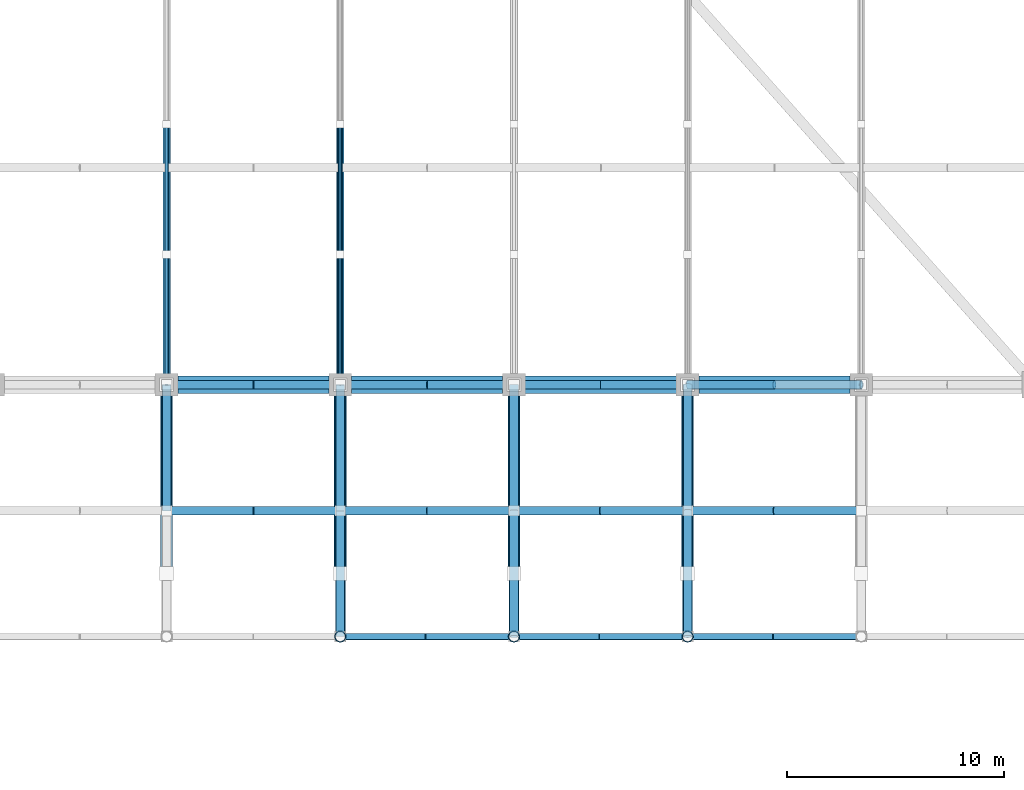
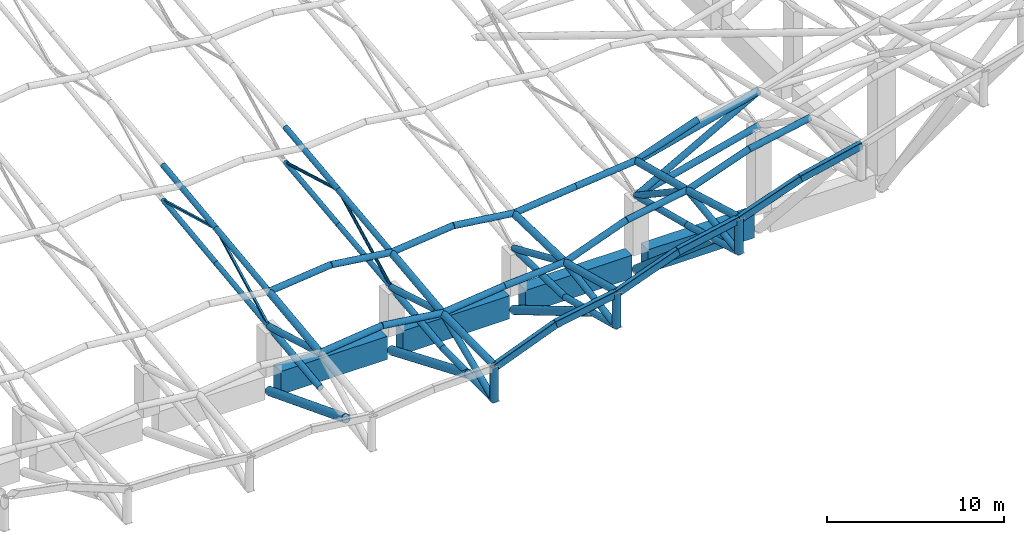
# One storey, part 6 of 75: 58 members, 10 beams.
"""IFC4 building model written with IfcOpenShell, lengths in metres."""

from ifc_helpers import new_model, si_unit, direction, frame, origin, origin_2d, place, context, subcontext, project, spatial, rectangle, hollow_rectangle, hollow_circle, extrude, material, material_profile, profile_set, type_object, element, save


model = new_model("IFC4")

# Units and contexts
model_context = context("Model", 3, precision=1e-05, world=origin(), true_north=direction((0.0, 1.0)))
body_context = subcontext(model_context, "Body", "Model", "MODEL_VIEW")
ifc_project = project(units=[si_unit("LENGTHUNIT", "METRE"), si_unit("AREAUNIT", "SQUARE_METRE"), si_unit("VOLUMEUNIT", "CUBIC_METRE"), si_unit("PLANEANGLEUNIT", "RADIAN"), si_unit("MASSUNIT", "GRAM", prefix="KILO")], contexts=[model_context])

# Site, building, storey
site_placement = place(None, origin())
site = spatial("IfcSite", under=ifc_project, at=site_placement, CompositionType="ELEMENT")
building_placement = place(site_placement, origin())
building = spatial("IfcBuilding", under=site, at=building_placement, Name="Khorjan Park Terminus", CompositionType="ELEMENT")
storey_placement = place(building_placement, frame((0.0, 0.0, 16.2)))
storey = spatial("IfcBuildingStorey", under=building, at=storey_placement, Name="L03", CompositionType="ELEMENT", Elevation=16.2)

# Members
ifc_material_1 = material(Name="Steel S355", Category="steel")
ifc_material_profile_1 = material_profile(ifc_material_1, hollow_circle(Radius=0.0969, WallThickness=0.01, at=origin_2d()), Name="CHS 193.7x10")
ifc_profile_set_1 = profile_set([ifc_material_profile_1], Name="Steel S355")
member_type_1 = type_object("IfcMemberType", Name="MB-BR-194", PredefinedType="BRACE", material=ifc_profile_set_1)
member_1_placement = place(storey_placement, frame((104.0, 26.0, 2.9477), z_axis=(0.0, 0.889228378973, 0.457463539563), x_axis=(-1.0, 0.0, 0.0)))
element("IfcMember", 1, at=member_1_placement, inside=storey, type_object=member_type_1, Name="Upper shell fold space-truss web diagonal (8)", PredefinedType="BRACE", context=body_context, shape_type="SweptSolid", body=[
    extrude(hollow_circle(Radius=0.0969, WallThickness=0.01, at=origin_2d()), origin(), (0.0, 0.0, 1.0), 6.7474),
])
member_2_placement = place(storey_placement, frame((104.0, 32.0, 6.0344), z_axis=(0.0, 0.961569896016, -0.274560257642), x_axis=(-1.0, 0.0, 0.0)))
element("IfcMember", 2, at=member_2_placement, inside=storey, type_object=member_type_1, Name="Upper shell fold space-truss web diagonal (8)", PredefinedType="BRACE", context=body_context, shape_type="SweptSolid", body=[
    extrude(hollow_circle(Radius=0.0969, WallThickness=0.01, at=origin_2d()), origin(), (0.0, 0.0, 1.0), 6.2398),
])
ifc_material_profile_2 = material_profile(ifc_material_1, hollow_rectangle(XDim=0.15, YDim=0.15, WallThickness=0.01, InnerFilletRadius=0.01, OuterFilletRadius=0.02, at=origin_2d()), Name="SHS 150x150x10")
ifc_profile_set_2 = profile_set([ifc_material_profile_2], Name="Steel S355")
member_type_2 = type_object("IfcMemberType", Name="MB-BR-SHS150", PredefinedType="BRACE", material=ifc_profile_set_2)
member_3_placement = place(storey_placement, frame((96.0, 26.0, 3.0429), z_axis=(0.0, 0.88625355796, 0.463200422068), x_axis=(-1.0, 0.0, 0.0)))
element("IfcMember", 3, at=member_3_placement, inside=storey, type_object=member_type_2, Name="Upper shell fold space-truss web diagonal (7)", PredefinedType="BRACE", context=body_context, shape_type="SweptSolid", body=[
    extrude(hollow_rectangle(XDim=0.15, YDim=0.15, WallThickness=0.01, InnerFilletRadius=0.01, OuterFilletRadius=0.02, at=origin_2d()), origin(), (0.0, 0.0, 1.0), 6.7701),
])
member_4_placement = place(storey_placement, frame((96.0, 32.0, 6.1788), z_axis=(0.0, 0.963628272095, -0.267246240794), x_axis=(-1.0, 0.0, 0.0)))
element("IfcMember", 4, at=member_4_placement, inside=storey, type_object=member_type_2, Name="Upper shell fold space-truss web diagonal (7)", PredefinedType="BRACE", context=body_context, shape_type="SweptSolid", body=[
    extrude(hollow_rectangle(XDim=0.15, YDim=0.15, WallThickness=0.01, InnerFilletRadius=0.01, OuterFilletRadius=0.02, at=origin_2d()), origin(), (0.0, 0.0, 1.0), 6.2265),
])
ifc_material_profile_3 = material_profile(ifc_material_1, hollow_circle(Radius=0.162, WallThickness=0.0125, at=origin_2d()), Name="CHS 323.9x12.5")
ifc_profile_set_3 = profile_set([ifc_material_profile_3], Name="Steel S355")
member_type_3 = type_object("IfcMemberType", Name="MB-CH-324", PredefinedType="CHORD", material=ifc_profile_set_3)
for number, where, z_axis, x_axis, name in (
    (5, (96.0, 26.0, 3.0429), (0.0, 0.992562298474, 0.121737765908), (-1.0, 0.0, 0.0), "Upper shell fold space-truss bottom chord (7)"),
    (6, (96.0, 32.0, 3.7788), (0.0, 0.992560299451, 0.121754063399), (-1.0, 0.0, 0.0), "Upper shell fold space-truss bottom chord (7)"),
):
    element("IfcMember", number, at=place(storey_placement, frame(where, z_axis=z_axis, x_axis=x_axis)), inside=storey, type_object=member_type_3, Name=name, PredefinedType="CHORD", context=body_context, shape_type="SweptSolid", body=[
        extrude(hollow_circle(Radius=0.162, WallThickness=0.0125, at=origin_2d()), origin(), (0.0, 0.0, 1.0), 6.045),
    ])
for number, where, z_axis, x_axis, name in (
    (7, (104.0, 26.0, 2.9477), (0.0, 0.993514246355, 0.113707705495), (-1.0, 0.0, 0.0), "Upper shell fold space-truss bottom chord (8)"),
    (8, (104.0, 32.0, 3.6344), (0.0, 0.993512375599, 0.113724049927), (-1.0, 0.0, 0.0), "Upper shell fold space-truss bottom chord (8)"),
):
    element("IfcMember", number, at=place(storey_placement, frame(where, z_axis=z_axis, x_axis=x_axis)), inside=storey, type_object=member_type_3, Name=name, PredefinedType="CHORD", context=body_context, shape_type="SweptSolid", body=[
        extrude(hollow_circle(Radius=0.162, WallThickness=0.0125, at=origin_2d()), origin(), (0.0, 0.0, 1.0), 6.0392),
    ])
ifc_material_profile_4 = material_profile(ifc_material_1, hollow_circle(Radius=0.1778, WallThickness=0.016, at=origin_2d()), Name="CHS 355.6x16")
ifc_profile_set_4 = profile_set([ifc_material_profile_4], Name="Steel S355")
member_type_4 = type_object("IfcMemberType", Name="MB-CH-356", PredefinedType="CHORD", material=ifc_profile_set_4)
for number, where, z_axis, x_axis, name in (
    (9, (96.0, 26.0, 5.4429), (0.0, 0.992562298474, 0.121737765908), (-1.0, 0.0, 0.0), "Upper shell fold space-truss top chord (7)"),
    (10, (96.0, 32.0, 6.1788), (0.0, 0.992560299451, 0.121754063399), (-1.0, 0.0, 0.0), "Upper shell fold space-truss top chord (7)"),
):
    element("IfcMember", number, at=place(storey_placement, frame(where, z_axis=z_axis, x_axis=x_axis)), inside=storey, type_object=member_type_4, Name=name, PredefinedType="CHORD", context=body_context, shape_type="SweptSolid", body=[
        extrude(hollow_circle(Radius=0.1778, WallThickness=0.016, at=origin_2d()), origin(), (0.0, 0.0, 1.0), 6.045),
    ])
for number, where, z_axis, x_axis, name in (
    (11, (104.0, 26.0, 5.3477), (0.0, 0.993514246355, 0.113707705495), (-1.0, 0.0, 0.0), "Upper shell fold space-truss top chord (8)"),
    (12, (104.0, 32.0, 6.0344), (0.0, 0.993512375599, 0.113724049927), (-1.0, 0.0, 0.0), "Upper shell fold space-truss top chord (8)"),
):
    element("IfcMember", number, at=place(storey_placement, frame(where, z_axis=z_axis, x_axis=x_axis)), inside=storey, type_object=member_type_4, Name=name, PredefinedType="CHORD", context=body_context, shape_type="SweptSolid", body=[
        extrude(hollow_circle(Radius=0.1778, WallThickness=0.016, at=origin_2d()), origin(), (0.0, 0.0, 1.0), 6.0392),
    ])
ifc_material_profile_5 = material_profile(ifc_material_1, hollow_circle(Radius=0.2032, WallThickness=0.016, at=origin_2d()), Name="CHS 406.4x16")
ifc_profile_set_5 = profile_set([ifc_material_profile_5], Name="Steel S355")
member_type_5 = type_object("IfcMemberType", Name="MB-CH-406", PredefinedType="CHORD", material=ifc_profile_set_5)
member_5_placement = place(storey_placement, frame((120.0, 26.0, 3.6958), z_axis=(0.968840831893, 0.0, 0.247684158673), x_axis=(0.0, 1.0, 0.0)))
element("IfcMember", 13, at=member_5_placement, inside=storey, type_object=member_type_5, Name="Upper shell longitudinal truss bottom chord (E1)", PredefinedType="CHORD", context=body_context, shape_type="SweptSolid", body=[
    extrude(hollow_circle(Radius=0.2032, WallThickness=0.016, at=origin_2d()), origin(), (0.0, 0.0, 1.0), 8.2573),
])
ifc_material_profile_6 = material_profile(ifc_material_1, hollow_circle(Radius=0.2285, WallThickness=0.016, at=origin_2d()), Name="CHS 457x16")
ifc_profile_set_6 = profile_set([ifc_material_profile_6], Name="Steel S355")
member_type_6 = type_object("IfcMemberType", Name="MB-CH-457", PredefinedType="CHORD", material=ifc_profile_set_6)
member_6_placement = place(storey_placement, frame((120.0, 26.0, 6.0958), z_axis=(0.968840831893, 0.0, 0.247684158673), x_axis=(0.0, 1.0, 0.0)))
element("IfcMember", 14, at=member_6_placement, inside=storey, type_object=member_type_6, Name="Upper shell longitudinal truss top chord (E1)", PredefinedType="CHORD", context=body_context, shape_type="SweptSolid", body=[
    extrude(hollow_circle(Radius=0.2285, WallThickness=0.016, at=origin_2d()), origin(), (0.0, 0.0, 1.0), 8.2573),
])
ifc_material_profile_7 = material_profile(ifc_material_1, hollow_circle(Radius=0.2032, WallThickness=0.016, at=origin_2d()), Name="CHS 406.4x16")
ifc_profile_set_7 = profile_set([ifc_material_profile_7], Name="Steel S355")
member_type_7 = type_object("IfcMemberType", Name="MB-CHE-406", PredefinedType="CHORD", material=ifc_profile_set_7)
member_7_placement = place(storey_placement, frame((96.0, 20.2, 4.7714), z_axis=(0.993642695952, 0.0, 0.112579717451), x_axis=(0.0, 1.0, 0.0)))
element("IfcMember", 15, at=member_7_placement, inside=storey, type_object=member_type_7, Name="Upper shell fold rib chord (55)", PredefinedType="CHORD", context=body_context, shape_type="SweptSolid", body=[
    extrude(hollow_circle(Radius=0.2032, WallThickness=0.016, at=origin_2d()), origin(), (0.0, 0.0, 1.0), 4.0256),
])
member_8_placement = place(storey_placement, frame((100.0, 20.2, 5.2246), z_axis=(0.992256490306, 0.0, -0.124205706174), x_axis=(0.0, 1.0, 0.0)))
element("IfcMember", 16, at=member_8_placement, inside=storey, type_object=member_type_7, Name="Upper shell fold rib chord (56)", PredefinedType="CHORD", context=body_context, shape_type="SweptSolid", body=[
    extrude(hollow_circle(Radius=0.2032, WallThickness=0.016, at=origin_2d()), origin(), (0.0, 0.0, 1.0), 4.0312),
])
member_9_placement = place(storey_placement, frame((104.0, 20.2, 4.7239), z_axis=(0.993642695952, 0.0, 0.112579717451), x_axis=(0.0, 1.0, 0.0)))
element("IfcMember", 17, at=member_9_placement, inside=storey, type_object=member_type_7, Name="Upper shell fold rib chord (57)", PredefinedType="CHORD", context=body_context, shape_type="SweptSolid", body=[
    extrude(hollow_circle(Radius=0.2032, WallThickness=0.016, at=origin_2d()), origin(), (0.0, 0.0, 1.0), 4.0256),
])
member_10_placement = place(storey_placement, frame((108.0, 20.2, 5.1771), z_axis=(0.9978192431, 0.0, 0.066005742931), x_axis=(0.0, 1.0, 0.0)))
element("IfcMember", 18, at=member_10_placement, inside=storey, type_object=member_type_7, Name="Upper shell fold rib chord (58)", PredefinedType="CHORD", context=body_context, shape_type="SweptSolid", body=[
    extrude(hollow_circle(Radius=0.2032, WallThickness=0.016, at=origin_2d()), origin(), (0.0, 0.0, 1.0), 4.0087),
])
member_11_placement = place(storey_placement, frame((112.0, 20.2, 5.4417), z_axis=(0.937112467786, 0.0, 0.349027538627), x_axis=(0.0, 1.0, 0.0)))
element("IfcMember", 19, at=member_11_placement, inside=storey, type_object=member_type_7, Name="Upper shell fold rib chord (59)", PredefinedType="CHORD", context=body_context, shape_type="SweptSolid", body=[
    extrude(hollow_circle(Radius=0.2032, WallThickness=0.016, at=origin_2d()), origin(), (0.0, 0.0, 1.0), 4.2684),
])
member_12_placement = place(storey_placement, frame((116.0, 20.2, 6.9315), z_axis=(0.985790621278, 0.0, 0.167978721866), x_axis=(0.0, 1.0, 0.0)))
element("IfcMember", 20, at=member_12_placement, inside=storey, type_object=member_type_7, Name="Upper shell fold rib chord (60)", PredefinedType="CHORD", context=body_context, shape_type="SweptSolid", body=[
    extrude(hollow_circle(Radius=0.2032, WallThickness=0.016, at=origin_2d()), origin(), (0.0, 0.0, 1.0), 4.0577),
])
member_13_placement = place(storey_placement, frame((120.0, 20.2, 7.6131), z_axis=(0.942795230781, 0.0, 0.333372393604), x_axis=(0.0, 1.0, 0.0)))
element("IfcMember", 21, at=member_13_placement, inside=storey, type_object=member_type_7, Name="Upper shell fold rib chord (61)", PredefinedType="CHORD", context=body_context, shape_type="SweptSolid", body=[
    extrude(hollow_circle(Radius=0.2032, WallThickness=0.016, at=origin_2d()), origin(), (0.0, 0.0, 1.0), 4.2427),
])
member_14_placement = place(storey_placement, frame((124.0, 20.2, 9.0275), z_axis=(0.981807019959, 0.0, 0.18988147766), x_axis=(0.0, 1.0, 0.0)))
element("IfcMember", 22, at=member_14_placement, inside=storey, type_object=member_type_7, Name="Upper shell fold rib chord (62)", PredefinedType="CHORD", context=body_context, shape_type="SweptSolid", body=[
    extrude(hollow_circle(Radius=0.2032, WallThickness=0.016, at=origin_2d()), origin(), (0.0, 0.0, 1.0), 4.0741),
])
member_15_placement = place(storey_placement, frame((96.0, 26.0, 5.4829), z_axis=(0.994287316425, 0.0, 0.106736743418), x_axis=(0.0, 1.0, 0.0)))
element("IfcMember", 23, at=member_15_placement, inside=storey, type_object=member_type_7, Name="Upper shell fold rib chord (79)", PredefinedType="CHORD", context=body_context, shape_type="SweptSolid", body=[
    extrude(hollow_circle(Radius=0.2032, WallThickness=0.016, at=origin_2d()), origin(), (0.0, 0.0, 1.0), 4.023),
])
member_16_placement = place(storey_placement, frame((100.0, 26.0, 5.9123), z_axis=(0.991509216249, 0.0, -0.130036433711), x_axis=(0.0, 1.0, 0.0)))
element("IfcMember", 24, at=member_16_placement, inside=storey, type_object=member_type_7, Name="Upper shell fold rib chord (80)", PredefinedType="CHORD", context=body_context, shape_type="SweptSolid", body=[
    extrude(hollow_circle(Radius=0.2032, WallThickness=0.016, at=origin_2d()), origin(), (0.0, 0.0, 1.0), 4.0343),
])
member_17_placement = place(storey_placement, frame((104.0, 26.0, 5.3877), z_axis=(0.994287316425, 0.0, 0.106736743418), x_axis=(0.0, 1.0, 0.0)))
element("IfcMember", 25, at=member_17_placement, inside=storey, type_object=member_type_7, Name="Upper shell fold rib chord (81)", PredefinedType="CHORD", context=body_context, shape_type="SweptSolid", body=[
    extrude(hollow_circle(Radius=0.2032, WallThickness=0.016, at=origin_2d()), origin(), (0.0, 0.0, 1.0), 4.023),
])
member_18_placement = place(storey_placement, frame((108.0, 26.0, 5.8171), z_axis=(0.9915124119, 0.0, -0.13001206501), x_axis=(0.0, 1.0, 0.0)))
element("IfcMember", 26, at=member_18_placement, inside=storey, type_object=member_type_7, Name="Upper shell fold rib chord (82)", PredefinedType="CHORD", context=body_context, shape_type="SweptSolid", body=[
    extrude(hollow_circle(Radius=0.2032, WallThickness=0.016, at=origin_2d()), origin(), (0.0, 0.0, 1.0), 4.0342),
])
member_19_placement = place(storey_placement, frame((112.0, 26.0, 5.2926), z_axis=(0.994287316425, 0.0, 0.106736743418), x_axis=(0.0, 1.0, 0.0)))
element("IfcMember", 27, at=member_19_placement, inside=storey, type_object=member_type_7, Name="Upper shell fold rib chord (83)", PredefinedType="CHORD", context=body_context, shape_type="SweptSolid", body=[
    extrude(hollow_circle(Radius=0.2032, WallThickness=0.016, at=origin_2d()), origin(), (0.0, 0.0, 1.0), 4.023),
])
member_20_placement = place(storey_placement, frame((116.0, 26.0, 5.722), z_axis=(0.994691618291, 0.0, 0.102900847912), x_axis=(0.0, 1.0, 0.0)))
element("IfcMember", 28, at=member_20_placement, inside=storey, type_object=member_type_7, Name="Upper shell fold rib chord (84)", PredefinedType="CHORD", context=body_context, shape_type="SweptSolid", body=[
    extrude(hollow_circle(Radius=0.2032, WallThickness=0.016, at=origin_2d()), origin(), (0.0, 0.0, 1.0), 4.0213),
])
member_21_placement = place(storey_placement, frame((120.0, 26.0, 6.1358), z_axis=(0.942639584618, 0.0, 0.333812242903), x_axis=(0.0, 1.0, 0.0)))
element("IfcMember", 29, at=member_21_placement, inside=storey, type_object=member_type_7, Name="Upper shell fold rib chord (85)", PredefinedType="CHORD", context=body_context, shape_type="SweptSolid", body=[
    extrude(hollow_circle(Radius=0.2032, WallThickness=0.016, at=origin_2d()), origin(), (0.0, 0.0, 1.0), 4.2434),
])
member_22_placement = place(storey_placement, frame((96.0, 20.2, 2.3314), z_axis=(0.0, 0.992559610072, 0.121759683201), x_axis=(-1.0, 0.0, 0.0)))
element("IfcMember", 30, at=member_22_placement, inside=storey, type_object=member_type_7, Name="Upper shell fold space-truss bottom chord (7)", PredefinedType="CHORD", context=body_context, shape_type="SweptSolid", body=[
    extrude(hollow_circle(Radius=0.2032, WallThickness=0.016, at=origin_2d()), origin(), (0.0, 0.0, 1.0), 5.8435),
])
member_23_placement = place(storey_placement, frame((104.0, 14.4, 2.1989), z_axis=(0.0, 0.999892630256, 0.014653598892), x_axis=(-1.0, 0.0, 0.0)))
element("IfcMember", 31, at=member_23_placement, inside=storey, type_object=member_type_7, Name="Upper shell fold space-truss bottom chord (8)", PredefinedType="CHORD", context=body_context, shape_type="SweptSolid", body=[
    extrude(hollow_circle(Radius=0.2032, WallThickness=0.016, at=origin_2d()), origin(), (0.0, 0.0, 1.0), 5.8006),
])
member_24_placement = place(storey_placement, frame((104.0, 20.2, 2.2839), z_axis=(0.0, 0.993514439867, 0.113706014687), x_axis=(-1.0, 0.0, 0.0)))
element("IfcMember", 32, at=member_24_placement, inside=storey, type_object=member_type_7, Name="Upper shell fold space-truss bottom chord (8)", PredefinedType="CHORD", context=body_context, shape_type="SweptSolid", body=[
    extrude(hollow_circle(Radius=0.2032, WallThickness=0.016, at=origin_2d()), origin(), (0.0, 0.0, 1.0), 5.8379),
])
member_25_placement = place(storey_placement, frame((112.0, 14.4, 4.5147), z_axis=(0.0, 0.967619044028, -0.252415105796), x_axis=(-1.0, 0.0, 0.0)))
element("IfcMember", 33, at=member_25_placement, inside=storey, type_object=member_type_7, Name="Upper shell fold space-truss bottom chord (9)", PredefinedType="CHORD", context=body_context, shape_type="SweptSolid", body=[
    extrude(hollow_circle(Radius=0.2032, WallThickness=0.016, at=origin_2d()), origin(), (0.0, 0.0, 1.0), 5.9941),
])
member_26_placement = place(storey_placement, frame((112.0, 20.2, 3.0017), z_axis=(0.0, 0.999669741413, -0.025698406628), x_axis=(-1.0, 0.0, 0.0)))
element("IfcMember", 34, at=member_26_placement, inside=storey, type_object=member_type_7, Name="Upper shell fold space-truss bottom chord (9)", PredefinedType="CHORD", context=body_context, shape_type="SweptSolid", body=[
    extrude(hollow_circle(Radius=0.2032, WallThickness=0.016, at=origin_2d()), origin(), (0.0, 0.0, 1.0), 5.8019),
])
member_27_placement = place(storey_placement, frame((120.0, 14.4, 6.8305), z_axis=(0.0, 0.961512686437, -0.274760539052), x_axis=(-1.0, 0.0, 0.0)))
element("IfcMember", 35, at=member_27_placement, inside=storey, type_object=member_type_7, Name="Upper shell fold space-truss bottom chord (10)", PredefinedType="CHORD", context=body_context, shape_type="SweptSolid", body=[
    extrude(hollow_circle(Radius=0.2032, WallThickness=0.016, at=origin_2d()), origin(), (0.0, 0.0, 1.0), 6.0322),
])
member_28_placement = place(storey_placement, frame((120.0, 20.2, 5.1731), z_axis=(0.0, 0.969059763172, -0.246826204851), x_axis=(-1.0, 0.0, 0.0)))
element("IfcMember", 36, at=member_28_placement, inside=storey, type_object=member_type_7, Name="Upper shell fold space-truss bottom chord (10)", PredefinedType="CHORD", context=body_context, shape_type="SweptSolid", body=[
    extrude(hollow_circle(Radius=0.2032, WallThickness=0.016, at=origin_2d()), origin(), (0.0, 0.0, 1.0), 5.9852),
])
ifc_material_profile_8 = material_profile(ifc_material_1, hollow_circle(Radius=0.2285, WallThickness=0.016, at=origin_2d()), Name="CHS 457x16")
ifc_profile_set_8 = profile_set([ifc_material_profile_8], Name="Steel S355")
member_type_8 = type_object("IfcMemberType", Name="MB-CHE-457", PredefinedType="CHORD", material=ifc_profile_set_8)
member_29_placement = place(storey_placement, frame((96.0, 20.2, 4.7314), z_axis=(0.0, 0.992559610072, 0.121759683201), x_axis=(-1.0, 0.0, 0.0)))
element("IfcMember", 37, at=member_29_placement, inside=storey, type_object=member_type_8, Name="Upper shell fold space-truss top chord (7)", PredefinedType="CHORD", context=body_context, shape_type="SweptSolid", body=[
    extrude(hollow_circle(Radius=0.2285, WallThickness=0.016, at=origin_2d()), origin(), (0.0, 0.0, 1.0), 5.8435),
])
member_30_placement = place(storey_placement, frame((104.0, 14.4, 4.5989), z_axis=(0.0, 0.999892630256, 0.014653598892), x_axis=(-1.0, 0.0, 0.0)))
element("IfcMember", 38, at=member_30_placement, inside=storey, type_object=member_type_8, Name="Upper shell fold space-truss top chord (8)", PredefinedType="CHORD", context=body_context, shape_type="SweptSolid", body=[
    extrude(hollow_circle(Radius=0.2285, WallThickness=0.016, at=origin_2d()), origin(), (0.0, 0.0, 1.0), 5.8006),
])
member_31_placement = place(storey_placement, frame((104.0, 20.2, 4.6839), z_axis=(0.0, 0.993514439867, 0.113706014687), x_axis=(-1.0, 0.0, 0.0)))
element("IfcMember", 39, at=member_31_placement, inside=storey, type_object=member_type_8, Name="Upper shell fold space-truss top chord (8)", PredefinedType="CHORD", context=body_context, shape_type="SweptSolid", body=[
    extrude(hollow_circle(Radius=0.2285, WallThickness=0.016, at=origin_2d()), origin(), (0.0, 0.0, 1.0), 5.8379),
])
member_32_placement = place(storey_placement, frame((112.0, 14.4, 6.9147), z_axis=(0.0, 0.967619044028, -0.252415105796), x_axis=(-1.0, 0.0, 0.0)))
element("IfcMember", 40, at=member_32_placement, inside=storey, type_object=member_type_8, Name="Upper shell fold space-truss top chord (9)", PredefinedType="CHORD", context=body_context, shape_type="SweptSolid", body=[
    extrude(hollow_circle(Radius=0.2285, WallThickness=0.016, at=origin_2d()), origin(), (0.0, 0.0, 1.0), 5.9941),
])
member_33_placement = place(storey_placement, frame((112.0, 20.2, 5.4017), z_axis=(0.0, 0.999669741413, -0.025698406628), x_axis=(-1.0, 0.0, 0.0)))
element("IfcMember", 41, at=member_33_placement, inside=storey, type_object=member_type_8, Name="Upper shell fold space-truss top chord (9)", PredefinedType="CHORD", context=body_context, shape_type="SweptSolid", body=[
    extrude(hollow_circle(Radius=0.2285, WallThickness=0.016, at=origin_2d()), origin(), (0.0, 0.0, 1.0), 5.8019),
])
member_34_placement = place(storey_placement, frame((120.0, 14.4, 9.2305), z_axis=(0.0, 0.961512686437, -0.274760539052), x_axis=(-1.0, 0.0, 0.0)))
element("IfcMember", 42, at=member_34_placement, inside=storey, type_object=member_type_8, Name="Upper shell fold space-truss top chord (10)", PredefinedType="CHORD", context=body_context, shape_type="SweptSolid", body=[
    extrude(hollow_circle(Radius=0.2285, WallThickness=0.016, at=origin_2d()), origin(), (0.0, 0.0, 1.0), 6.0322),
])
member_35_placement = place(storey_placement, frame((120.0, 20.2, 7.5731), z_axis=(0.0, 0.969059763172, -0.246826204851), x_axis=(-1.0, 0.0, 0.0)))
element("IfcMember", 43, at=member_35_placement, inside=storey, type_object=member_type_8, Name="Upper shell fold space-truss top chord (10)", PredefinedType="CHORD", context=body_context, shape_type="SweptSolid", body=[
    extrude(hollow_circle(Radius=0.2285, WallThickness=0.016, at=origin_2d()), origin(), (0.0, 0.0, 1.0), 5.9852),
])
ifc_material_profile_9 = material_profile(ifc_material_1, hollow_circle(Radius=0.2032, WallThickness=0.016, at=origin_2d()), Name="CHS 406.4x16")
ifc_profile_set_9 = profile_set([ifc_material_profile_9], Name="Steel S355")
member_type_9 = type_object("IfcMemberType", Name="MB-ST-406", PredefinedType="STRUT", material=ifc_profile_set_9)
member_36_placement = place(storey_placement, frame((120.0, 26.0, 3.6958), z_axis=(0.874122226492, 0.0, 0.48570601515), x_axis=(0.0, 1.0, 0.0)))
element("IfcMember", 44, at=member_36_placement, inside=storey, type_object=member_type_9, Name="Upper shell longitudinal truss diagonal (E1)", PredefinedType="STRUT", context=body_context, shape_type="SweptSolid", body=[
    extrude(hollow_circle(Radius=0.2032, WallThickness=0.016, at=origin_2d()), origin(), (0.0, 0.0, 1.0), 9.152),
])
ifc_material_profile_10 = material_profile(ifc_material_1, hollow_circle(Radius=0.2795, WallThickness=0.02, at=origin_2d()), Name="CHS 559x20")
ifc_profile_set_10 = profile_set([ifc_material_profile_10], Name="Steel S355")
member_type_10 = type_object("IfcMemberType", Name="MB-ST-CHS559", PredefinedType="STRUT", material=ifc_profile_set_10)
member_37_placement = place(storey_placement, frame((96.0, 26.0, -1.4), z_axis=(0.0, -0.932280715022, 0.361735633299), x_axis=(1.0, 0.0, 0.0)))
element("IfcMember", 45, at=member_37_placement, inside=storey, type_object=member_type_10, Name="Upper shell raked overhang V-strut STE-56 (7S)", PredefinedType="STRUT", context=body_context, shape_type="SweptSolid", body=[
    extrude(hollow_circle(Radius=0.2795, WallThickness=0.02, at=origin_2d()), origin(), (0.0, 0.0, 1.0), 9.332),
])
member_38_placement = place(storey_placement, frame((104.0, 26.0, -1.4), z_axis=(0.0, -0.922458377603, 0.386096544391), x_axis=(1.0, 0.0, 0.0)))
element("IfcMember", 46, at=member_38_placement, inside=storey, type_object=member_type_10, Name="Upper shell raked overhang V-strut STE-56 (8S)", PredefinedType="STRUT", context=body_context, shape_type="SweptSolid", body=[
    extrude(hollow_circle(Radius=0.2795, WallThickness=0.02, at=origin_2d()), origin(), (0.0, 0.0, 1.0), 9.4313),
])
member_39_placement = place(storey_placement, frame((112.0, 26.0, -1.4), z_axis=(0.0, -0.860176841701, 0.509995883318), x_axis=(1.0, 0.0, 0.0)))
element("IfcMember", 47, at=member_39_placement, inside=storey, type_object=member_type_10, Name="Upper shell raked overhang V-strut STE-56 (9S)", PredefinedType="STRUT", context=body_context, shape_type="SweptSolid", body=[
    extrude(hollow_circle(Radius=0.2795, WallThickness=0.02, at=origin_2d()), origin(), (0.0, 0.0, 1.0), 10.1142),
])
member_40_placement = place(storey_placement, frame((120.0, 26.0, -1.4), z_axis=(0.0, -0.76164547291, 0.647993961079), x_axis=(1.0, 0.0, 0.0)))
element("IfcMember", 48, at=member_40_placement, inside=storey, type_object=member_type_10, Name="Upper shell raked overhang V-strut STE-56 (10S)", PredefinedType="STRUT", context=body_context, shape_type="SweptSolid", body=[
    extrude(hollow_circle(Radius=0.2795, WallThickness=0.02, at=origin_2d()), origin(), (0.0, 0.0, 1.0), 11.4226),
])
ifc_material_profile_11 = material_profile(ifc_material_1, hollow_circle(Radius=0.2032, WallThickness=0.016, at=origin_2d()), Name="CHS 406.4x16")
ifc_profile_set_11 = profile_set([ifc_material_profile_11], Name="Steel S355")
member_type_11 = type_object("IfcMemberType", Name="MB-STE-406", PredefinedType="STRUT", material=ifc_profile_set_11)
member_41_placement = place(storey_placement, frame((96.0, 20.2, 4.7314), z_axis=(0.0, 0.960140787374, -0.279516848186), x_axis=(-1.0, 0.0, 0.0)))
element("IfcMember", 49, at=member_41_placement, inside=storey, type_object=member_type_11, Name="Upper shell fold space-truss web diagonal (7)", PredefinedType="STRUT", context=body_context, shape_type="SweptSolid", body=[
    extrude(hollow_circle(Radius=0.2032, WallThickness=0.016, at=origin_2d()), origin(), (0.0, 0.0, 1.0), 6.0408),
])
member_42_placement = place(storey_placement, frame((104.0, 14.4, 2.1989), z_axis=(0.0, 0.919186011339, 0.393823661755), x_axis=(-1.0, 0.0, 0.0)))
element("IfcMember", 50, at=member_42_placement, inside=storey, type_object=member_type_11, Name="Upper shell fold space-truss web diagonal (8)", PredefinedType="STRUT", context=body_context, shape_type="SweptSolid", body=[
    extrude(hollow_circle(Radius=0.2032, WallThickness=0.016, at=origin_2d()), origin(), (0.0, 0.0, 1.0), 6.3099),
])
member_43_placement = place(storey_placement, frame((104.0, 20.2, 4.6839), z_axis=(0.0, 0.957998861056, -0.286772003891), x_axis=(-1.0, 0.0, 0.0)))
element("IfcMember", 51, at=member_43_placement, inside=storey, type_object=member_type_11, Name="Upper shell fold space-truss web diagonal (8)", PredefinedType="STRUT", context=body_context, shape_type="SweptSolid", body=[
    extrude(hollow_circle(Radius=0.2032, WallThickness=0.016, at=origin_2d()), origin(), (0.0, 0.0, 1.0), 6.0543),
])
member_44_placement = place(storey_placement, frame((112.0, 14.4, 4.5147), z_axis=(0.0, 0.988507254371, 0.151173437005), x_axis=(-1.0, 0.0, 0.0)))
element("IfcMember", 52, at=member_44_placement, inside=storey, type_object=member_type_11, Name="Upper shell fold space-truss web diagonal (9)", PredefinedType="STRUT", context=body_context, shape_type="SweptSolid", body=[
    extrude(hollow_circle(Radius=0.2032, WallThickness=0.016, at=origin_2d()), origin(), (0.0, 0.0, 1.0), 5.8674),
])
member_45_placement = place(storey_placement, frame((112.0, 20.2, 5.4017), z_axis=(0.0, 0.9154836907, -0.402355082063), x_axis=(-1.0, 0.0, 0.0)))
element("IfcMember", 53, at=member_45_placement, inside=storey, type_object=member_type_11, Name="Upper shell fold space-truss web diagonal (9)", PredefinedType="STRUT", context=body_context, shape_type="SweptSolid", body=[
    extrude(hollow_circle(Radius=0.2032, WallThickness=0.016, at=origin_2d()), origin(), (0.0, 0.0, 1.0), 6.3354),
])
member_46_placement = place(storey_placement, frame((120.0, 14.4, 6.8305), z_axis=(0.0, 0.991903000272, 0.126997787587), x_axis=(-1.0, 0.0, 0.0)))
element("IfcMember", 54, at=member_46_placement, inside=storey, type_object=member_type_11, Name="Upper shell fold space-truss web diagonal (10)", PredefinedType="STRUT", context=body_context, shape_type="SweptSolid", body=[
    extrude(hollow_circle(Radius=0.2032, WallThickness=0.016, at=origin_2d()), origin(), (0.0, 0.0, 1.0), 5.8473),
])
member_47_placement = place(storey_placement, frame((120.0, 20.2, 7.5731), z_axis=(0.0, 0.831346178511, -0.555754920334), x_axis=(-1.0, 0.0, 0.0)))
element("IfcMember", 55, at=member_47_placement, inside=storey, type_object=member_type_11, Name="Upper shell fold space-truss web diagonal (10)", PredefinedType="STRUT", context=body_context, shape_type="SweptSolid", body=[
    extrude(hollow_circle(Radius=0.2032, WallThickness=0.016, at=origin_2d()), origin(), (0.0, 0.0, 1.0), 6.9766),
])
ifc_material_profile_12 = material_profile(ifc_material_1, hollow_circle(Radius=0.254, WallThickness=0.02, at=origin_2d()), Name="CHS 508x20")
ifc_profile_set_12 = profile_set([ifc_material_profile_12], Name="Steel S355")
member_type_12 = type_object("IfcMemberType", Name="MB-STE-508", PredefinedType="STRUT", material=ifc_profile_set_12)
for number, where, z_axis, x_axis, name in (
    (56, (104.0, 14.4, 2.1989), (0.0, 0.0, 1.0), (1.0, 0.0, 0.0), "Upper shell overhang tip post STE-51 (8S)"),
    (57, (112.0, 14.4, 4.5147), (0.0, 0.0, 1.0), (1.0, 0.0, 0.0), "Upper shell overhang tip post STE-51 (9S)"),
    (58, (120.0, 14.4, 6.8305), (0.0, 0.0, 1.0), (1.0, 0.0, 0.0), "Upper shell overhang tip post STE-51 (10S)"),
):
    element("IfcMember", number, at=place(storey_placement, frame(where, z_axis=z_axis, x_axis=x_axis)), inside=storey, type_object=member_type_12, Name=name, PredefinedType="STRUT", context=body_context, shape_type="SweptSolid", body=[
        extrude(hollow_circle(Radius=0.254, WallThickness=0.02, at=origin_2d()), origin(), (0.0, 0.0, 1.0), 2.4),
    ])

# Beams
ifc_material_2 = material(Name="Concrete C50/60", Category="concrete")
ifc_material_profile_13 = material_profile(ifc_material_2, rectangle(XDim=0.8, YDim=1.6, at=origin_2d()), Name="RC 800x1600")
ifc_profile_set_13 = profile_set([ifc_material_profile_13], Name="Concrete C50/60")
beam_type_1 = type_object("IfcBeamType", Name="SP-RC800x1600", PredefinedType="SPANDREL", material=ifc_profile_set_13)
for number, where, z_axis, x_axis, name in (
    (59, (96.519, 26.0, -0.8), (1.0, 0.0, 0.0), (0.0, 1.0, 0.0), "Concourse colonnade ring beam SP-16 (13)"),
    (60, (104.519, 26.0, -0.8), (1.0, 0.0, 0.0), (0.0, 1.0, 0.0), "Concourse colonnade ring beam SP-16 (15)"),
    (61, (112.519, 26.0, -0.8), (1.0, 0.0, 0.0), (0.0, 1.0, 0.0), "Concourse colonnade ring beam SP-16 (17)"),
    (62, (120.519, 26.0, -0.8), (1.0, 0.0, 0.0), (0.0, 1.0, 0.0), "Concourse colonnade ring beam SP-16 (19)"),
):
    element("IfcBeam", number, at=place(storey_placement, frame(where, z_axis=z_axis, x_axis=x_axis)), inside=storey, type_object=beam_type_1, Name=name, PredefinedType="SPANDREL", context=body_context, shape_type="SweptSolid", body=[
        extrude(rectangle(XDim=0.8, YDim=1.6, at=origin_2d()), origin(), (0.0, 0.0, 1.0), 6.962),
    ])
ifc_material_profile_14 = material_profile(ifc_material_1, hollow_rectangle(XDim=0.3, YDim=0.5, WallThickness=0.016, InnerFilletRadius=0.016, OuterFilletRadius=0.032, at=origin_2d()), Name="RHS 500x300x16")
ifc_profile_set_14 = profile_set([ifc_material_profile_14], Name="Steel S355")
beam_type_2 = type_object("IfcBeamType", Name="SP-RHS500", PredefinedType="SPANDREL", material=ifc_profile_set_14)
beam_1_placement = place(storey_placement, frame((104.0, 14.4, 4.4989), z_axis=(0.930690394254, 0.0, 0.365807859461), x_axis=(0.0, 1.0, 0.0)))
element("IfcBeam", 63, at=beam_1_placement, inside=storey, type_object=beam_type_2, Name="Upper folded shell upturned perimeter edge beam SP-R50 (17)", PredefinedType="SPANDREL", context=body_context, shape_type="SweptSolid", body=[
    extrude(hollow_rectangle(XDim=0.3, YDim=0.5, WallThickness=0.016, InnerFilletRadius=0.016, OuterFilletRadius=0.032, at=origin_2d()), origin(), (0.0, 0.0, 1.0), 4.2979),
])
beam_2_placement = place(storey_placement, frame((108.0, 14.4, 6.0711), z_axis=(0.983155941904, 0.0, 0.1827686896), x_axis=(0.0, 1.0, 0.0)))
element("IfcBeam", 64, at=beam_2_placement, inside=storey, type_object=beam_type_2, Name="Upper folded shell upturned perimeter edge beam SP-R50 (18)", PredefinedType="SPANDREL", context=body_context, shape_type="SweptSolid", body=[
    extrude(hollow_rectangle(XDim=0.3, YDim=0.5, WallThickness=0.016, InnerFilletRadius=0.016, OuterFilletRadius=0.032, at=origin_2d()), origin(), (0.0, 0.0, 1.0), 4.0685),
])
beam_3_placement = place(storey_placement, frame((112.0, 14.4, 6.8147), z_axis=(0.937212055598, 0.0, 0.348760036189), x_axis=(0.0, 1.0, 0.0)))
element("IfcBeam", 65, at=beam_3_placement, inside=storey, type_object=beam_type_2, Name="Upper folded shell upturned perimeter edge beam SP-R50 (19)", PredefinedType="SPANDREL", context=body_context, shape_type="SweptSolid", body=[
    extrude(hollow_rectangle(XDim=0.3, YDim=0.5, WallThickness=0.016, InnerFilletRadius=0.016, OuterFilletRadius=0.032, at=origin_2d()), origin(), (0.0, 0.0, 1.0), 4.268),
])
beam_4_placement = place(storey_placement, frame((116.0, 14.4, 8.3032), z_axis=(0.979274319101, 0.0, 0.202538411048), x_axis=(0.0, 1.0, 0.0)))
element("IfcBeam", 66, at=beam_4_placement, inside=storey, type_object=beam_type_2, Name="Upper folded shell upturned perimeter edge beam SP-R50 (20)", PredefinedType="SPANDREL", context=body_context, shape_type="SweptSolid", body=[
    extrude(hollow_rectangle(XDim=0.3, YDim=0.5, WallThickness=0.016, InnerFilletRadius=0.016, OuterFilletRadius=0.032, at=origin_2d()), origin(), (0.0, 0.0, 1.0), 4.0847),
])
beam_5_placement = place(storey_placement, frame((120.0, 14.4, 9.1305), z_axis=(0.943504791133, 0.0, 0.331358882646), x_axis=(0.0, 1.0, 0.0)))
element("IfcBeam", 67, at=beam_5_placement, inside=storey, type_object=beam_type_2, Name="Upper folded shell upturned perimeter edge beam SP-R50 (21)", PredefinedType="SPANDREL", context=body_context, shape_type="SweptSolid", body=[
    extrude(hollow_rectangle(XDim=0.3, YDim=0.5, WallThickness=0.016, InnerFilletRadius=0.016, OuterFilletRadius=0.032, at=origin_2d()), origin(), (0.0, 0.0, 1.0), 4.2395),
])
beam_6_placement = place(storey_placement, frame((124.0, 14.4, 10.5353), z_axis=(0.975032187239, 0.0, 0.222063580644), x_axis=(0.0, 1.0, 0.0)))
element("IfcBeam", 68, at=beam_6_placement, inside=storey, type_object=beam_type_2, Name="Upper folded shell upturned perimeter edge beam SP-R50 (22)", PredefinedType="SPANDREL", context=body_context, shape_type="SweptSolid", body=[
    extrude(hollow_rectangle(XDim=0.3, YDim=0.5, WallThickness=0.016, InnerFilletRadius=0.016, OuterFilletRadius=0.032, at=origin_2d()), origin(), (0.0, 0.0, 1.0), 4.1024),
])

save(model, "model.ifc")
